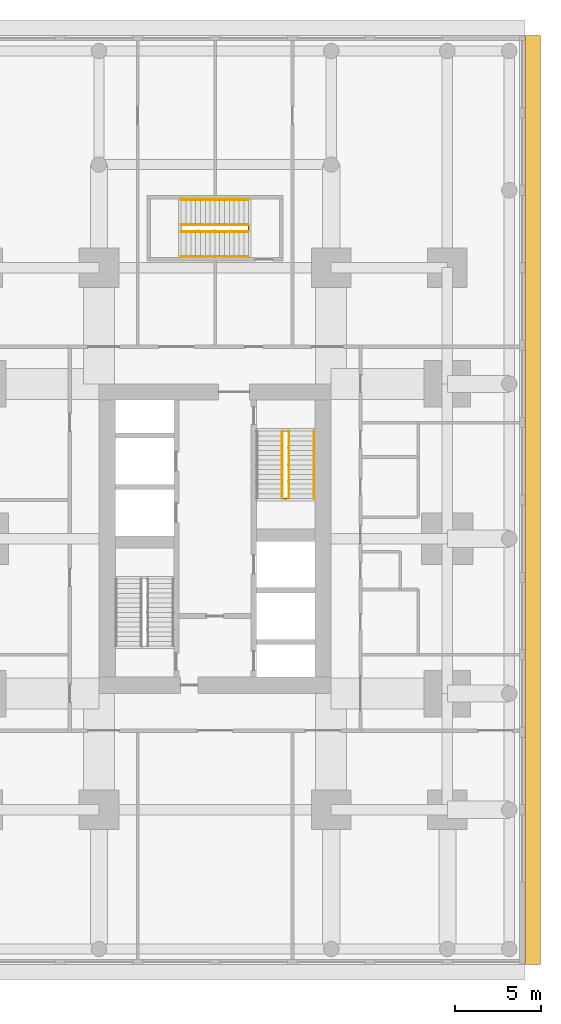
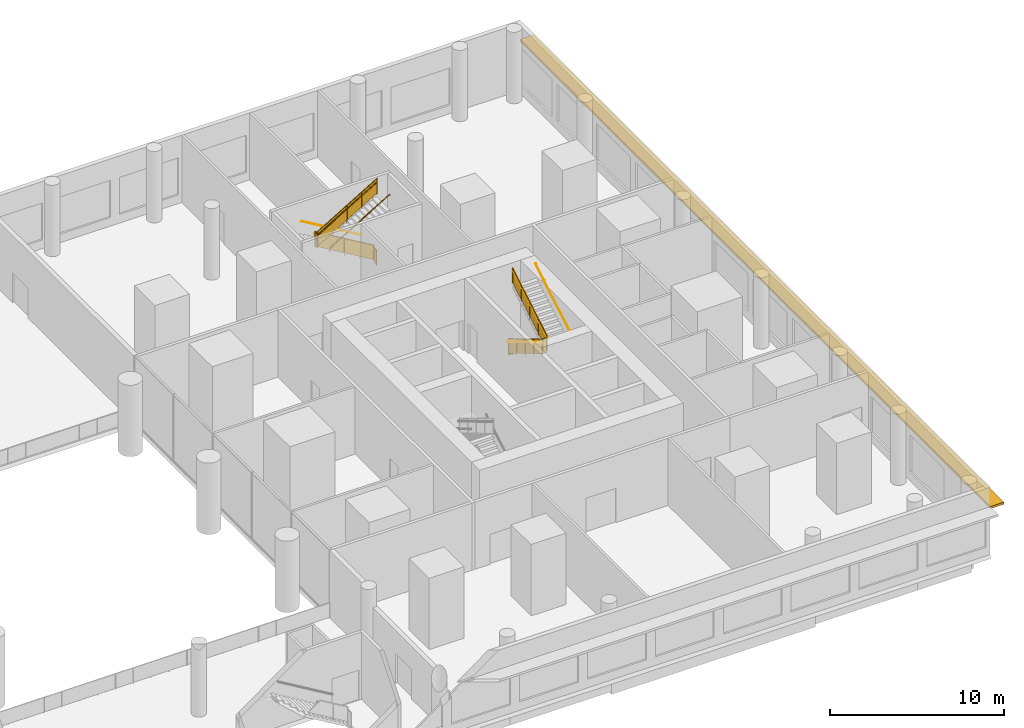
# One storey, part 21 of 21: 9 railings, 1 shading device.
"""IFC4 building model written with IfcOpenShell, lengths in metres."""

from ifc_helpers import new_model, si_unit, direction, frame, origin, origin_2d, place, context, subcontext, project, spatial, polyline, rectangle, circle, outline, extrude, material, layer, layer_set, type_object, element, save


model = new_model("IFC4")

# Units and contexts
model_context = context("Model", 3, precision=1e-05, world=origin(), true_north=direction((0.0, 1.0)))
body_context = subcontext(model_context, "Body", "Model", "MODEL_VIEW")
ifc_project = project(units=[si_unit("LENGTHUNIT", "METRE"), si_unit("AREAUNIT", "SQUARE_METRE"), si_unit("VOLUMEUNIT", "CUBIC_METRE"), si_unit("PLANEANGLEUNIT", "RADIAN"), si_unit("MASSUNIT", "GRAM", prefix="KILO")], contexts=[model_context])

# Site, building, storey
site_placement = place(None, origin())
site = spatial("IfcSite", under=ifc_project, at=site_placement, CompositionType="ELEMENT")
building_placement = place(site_placement, origin())
building = spatial("IfcBuilding", under=site, at=building_placement, Name="Namib Vertical Campus", CompositionType="ELEMENT")
storey_placement = place(building_placement, frame((0.0, 0.0, 6.0)))
storey = spatial("IfcBuildingStorey", under=building, at=storey_placement, Name="L01", CompositionType="ELEMENT", Elevation=6.0)

# Railings
ifc_material_1 = material(Name="Steel handrail", Category="steel")
railing_type_1 = type_object("IfcRailingType", Name="Handrail 900", PredefinedType="HANDRAIL", material=ifc_material_1)
railing_1_placement = place(storey_placement, frame((86.75, 22.580078125, 2.666748046875)))
element("IfcRailing", 1, at=railing_1_placement, inside=storey, type_object=railing_type_1, Name="Handrail HR1 B-S2 L01 2", PredefinedType="HANDRAIL", context=body_context, shape_type="SweptSolid", body=[
    extrude(circle(Radius=0.02392578125, at=origin_2d()), frame((0.0, 0.0, 0.8759765625), z_axis=(0.0, 0.859296244711, 0.511478214419), x_axis=(-1.0, 0.0, 0.0)), (0.0, 0.0, 1.0), 4.561767578125),
    extrude(circle(Radius=0.008056640625, at=origin_2d()), frame((0.0, 0.0, 0.8759765625), z_axis=(1.0, 0.0, 0.0), x_axis=(0.0, 0.0, 1.0)), (0.0, 0.0, 1.0), 0.050048828125),
    extrude(circle(Radius=0.008056640625, at=origin_2d()), frame((0.0, 0.97998046875, 1.459228515625), z_axis=(1.0, 0.0, 0.0), x_axis=(0.0, 0.0, 1.0)), (0.0, 0.0, 1.0), 0.050048828125),
    extrude(circle(Radius=0.008056640625, at=origin_2d()), frame((0.0, 1.9599609375, 2.04248046875), z_axis=(1.0, 0.0, 0.0), x_axis=(0.0, 0.0, 1.0)), (0.0, 0.0, 1.0), 0.050048828125),
    extrude(circle(Radius=0.008056640625, at=origin_2d()), frame((0.0, 2.93994140625, 2.625732421875), z_axis=(1.0, 0.0, 0.0), x_axis=(0.0, 0.0, 1.0)), (0.0, 0.0, 1.0), 0.050048828125),
    extrude(circle(Radius=0.008056640625, at=origin_2d()), frame((0.0, 3.919921875, 3.208984375), z_axis=(1.0, 0.0, 0.0), x_axis=(0.0, 0.0, 1.0)), (0.0, 0.0, 1.0), 0.050048828125),
])
railing_2_placement = place(storey_placement, frame((84.89990234375, 26.5, 0.166748046875)))
element("IfcRailing", 2, at=railing_2_placement, inside=storey, type_object=railing_type_1, Name="Handrail HR1 B-S2 L01 1 at the well", PredefinedType="HANDRAIL", context=body_context, shape_type="SweptSolid", body=[
    extrude(circle(Radius=0.02392578125, at=origin_2d()), frame((0.0, 0.0, 0.8759765625), z_axis=(0.0, -0.859296244711, 0.511478214419), x_axis=(1.0, 0.0, 0.0)), (0.0, 0.0, 1.0), 4.561767578125),
    extrude(circle(Radius=0.008056640625, at=origin_2d()), frame((0.0, 0.0, 0.8759765625), z_axis=(1.0, 0.0, 0.0), x_axis=(0.0, 0.0, 1.0)), (0.0, 0.0, 1.0), 0.0400390625),
    extrude(circle(Radius=0.008056640625, at=origin_2d()), frame((0.0, -0.97998046875, 1.459228515625), z_axis=(1.0, 0.0, 0.0), x_axis=(0.0, 0.0, 1.0)), (0.0, 0.0, 1.0), 0.0400390625),
    extrude(circle(Radius=0.008056640625, at=origin_2d()), frame((0.0, -1.9599609375, 2.04248046875), z_axis=(1.0, 0.0, 0.0), x_axis=(0.0, 0.0, 1.0)), (0.0, 0.0, 1.0), 0.0400390625),
    extrude(circle(Radius=0.008056640625, at=origin_2d()), frame((0.0, -2.93994140625, 2.625732421875), z_axis=(1.0, 0.0, 0.0), x_axis=(0.0, 0.0, 1.0)), (0.0, 0.0, 1.0), 0.0400390625),
    extrude(circle(Radius=0.008056640625, at=origin_2d()), frame((0.0, -3.919921875, 3.208984375), z_axis=(1.0, 0.0, 0.0), x_axis=(0.0, 0.0, 1.0)), (0.0, 0.0, 1.0), 0.0400390625),
])
railing_3_placement = place(storey_placement, frame((85.300048828125, 22.580078125, 2.666748046875)))
element("IfcRailing", 3, at=railing_3_placement, inside=storey, type_object=railing_type_1, Name="Handrail HR1 B-S2 L01 2 at the well", PredefinedType="HANDRAIL", context=body_context, shape_type="SweptSolid", body=[
    extrude(circle(Radius=0.02392578125, at=origin_2d()), frame((0.0, 0.0, 0.8759765625), z_axis=(0.0, 0.859296244711, 0.511478214419), x_axis=(-1.0, 0.0, 0.0)), (0.0, 0.0, 1.0), 4.561767578125),
    extrude(circle(Radius=0.008056640625, at=origin_2d()), frame((0.0, 0.0, 0.8759765625), z_axis=(-1.0, 0.0, 0.0), x_axis=(0.0, 0.0, 1.0)), (0.0, 0.0, 1.0), 0.0400390625),
    extrude(circle(Radius=0.008056640625, at=origin_2d()), frame((0.0, 0.97998046875, 1.459228515625), z_axis=(-1.0, 0.0, 0.0), x_axis=(0.0, 0.0, 1.0)), (0.0, 0.0, 1.0), 0.0400390625),
    extrude(circle(Radius=0.008056640625, at=origin_2d()), frame((0.0, 1.9599609375, 2.04248046875), z_axis=(-1.0, 0.0, 0.0), x_axis=(0.0, 0.0, 1.0)), (0.0, 0.0, 1.0), 0.0400390625),
    extrude(circle(Radius=0.008056640625, at=origin_2d()), frame((0.0, 2.93994140625, 2.625732421875), z_axis=(-1.0, 0.0, 0.0), x_axis=(0.0, 0.0, 1.0)), (0.0, 0.0, 1.0), 0.0400390625),
    extrude(circle(Radius=0.008056640625, at=origin_2d()), frame((0.0, 3.919921875, 3.208984375), z_axis=(-1.0, 0.0, 0.0), x_axis=(0.0, 0.0, 1.0)), (0.0, 0.0, 1.0), 0.0400390625),
])
railing_4_placement = place(storey_placement, frame((82.949951171875, 39.949951171875, 0.166748046875)))
element("IfcRailing", 4, at=railing_4_placement, inside=storey, type_object=railing_type_1, Name="Handrail HR1 B-S3 L01 1", PredefinedType="HANDRAIL", context=body_context, shape_type="SweptSolid", body=[
    extrude(circle(Radius=0.02392578125, at=origin_2d()), frame((0.0, 0.0, 0.8759765625), z_axis=(-0.859296244711, 0.0, 0.511478214419), x_axis=(0.0, -1.0, 0.0)), (0.0, 0.0, 1.0), 4.561767578125),
    extrude(circle(Radius=0.008056640625, at=origin_2d()), frame((0.0, 0.0, 0.8759765625), z_axis=(0.0, 1.0, 0.0), x_axis=(0.0, 0.0, 1.0)), (0.0, 0.0, 1.0), 0.050048828125),
    extrude(circle(Radius=0.008056640625, at=origin_2d()), frame((-0.97998046875, 0.0, 1.459228515625), z_axis=(0.0, 1.0, 0.0), x_axis=(0.0, 0.0, 1.0)), (0.0, 0.0, 1.0), 0.050048828125),
    extrude(circle(Radius=0.008056640625, at=origin_2d()), frame((-1.9599609375, 0.0, 2.04248046875), z_axis=(0.0, 1.0, 0.0), x_axis=(0.0, 0.0, 1.0)), (0.0, 0.0, 1.0), 0.050048828125),
    extrude(circle(Radius=0.008056640625, at=origin_2d()), frame((-2.93994140625, 0.0, 2.625732421875), z_axis=(0.0, 1.0, 0.0), x_axis=(0.0, 0.0, 1.0)), (0.0, 0.0, 1.0), 0.050048828125),
    extrude(circle(Radius=0.008056640625, at=origin_2d()), frame((-3.919921875, 0.0, 3.208984375), z_axis=(0.0, 1.0, 0.0), x_axis=(0.0, 0.0, 1.0)), (0.0, 0.0, 1.0), 0.050048828125),
])
railing_5_placement = place(storey_placement, frame((79.030029296875, 36.64990234375, 2.666748046875)))
element("IfcRailing", 5, at=railing_5_placement, inside=storey, type_object=railing_type_1, Name="Handrail HR1 B-S3 L01 2", PredefinedType="HANDRAIL", context=body_context, shape_type="SweptSolid", body=[
    extrude(circle(Radius=0.02392578125, at=origin_2d()), frame((0.0, 0.0, 0.8759765625), z_axis=(0.859296244711, 0.0, 0.511478214419), x_axis=(0.0, 1.0, 0.0)), (0.0, 0.0, 1.0), 4.561767578125),
    extrude(circle(Radius=0.008056640625, at=origin_2d()), frame((0.0, 0.0, 0.8759765625), z_axis=(0.0, -1.0, 0.0), x_axis=(0.0, 0.0, 1.0)), (0.0, 0.0, 1.0), 0.050048828125),
    extrude(circle(Radius=0.008056640625, at=origin_2d()), frame((0.97998046875, 0.0, 1.459228515625), z_axis=(0.0, -1.0, 0.0), x_axis=(0.0, 0.0, 1.0)), (0.0, 0.0, 1.0), 0.050048828125),
    extrude(circle(Radius=0.008056640625, at=origin_2d()), frame((1.9599609375, 0.0, 2.04248046875), z_axis=(0.0, -1.0, 0.0), x_axis=(0.0, 0.0, 1.0)), (0.0, 0.0, 1.0), 0.050048828125),
    extrude(circle(Radius=0.008056640625, at=origin_2d()), frame((2.93994140625, 0.0, 2.625732421875), z_axis=(0.0, -1.0, 0.0), x_axis=(0.0, 0.0, 1.0)), (0.0, 0.0, 1.0), 0.050048828125),
    extrude(circle(Radius=0.008056640625, at=origin_2d()), frame((3.919921875, 0.0, 3.208984375), z_axis=(0.0, -1.0, 0.0), x_axis=(0.0, 0.0, 1.0)), (0.0, 0.0, 1.0), 0.050048828125),
])
railing_6_placement = place(storey_placement, frame((82.949951171875, 38.5, 0.166748046875)))
element("IfcRailing", 6, at=railing_6_placement, inside=storey, type_object=railing_type_1, Name="Handrail HR1 B-S3 L01 1 at the well", PredefinedType="HANDRAIL", context=body_context, shape_type="SweptSolid", body=[
    extrude(circle(Radius=0.02392578125, at=origin_2d()), frame((0.0, 0.0, 0.8759765625), z_axis=(-0.859296244711, 0.0, 0.511478214419), x_axis=(0.0, -1.0, 0.0)), (0.0, 0.0, 1.0), 4.561767578125),
    extrude(circle(Radius=0.008056640625, at=origin_2d()), frame((0.0, 0.0, 0.8759765625), z_axis=(0.0, -1.0, 0.0), x_axis=(0.0, 0.0, 1.0)), (0.0, 0.0, 1.0), 0.0400390625),
    extrude(circle(Radius=0.008056640625, at=origin_2d()), frame((-0.97998046875, 0.0, 1.459228515625), z_axis=(0.0, -1.0, 0.0), x_axis=(0.0, 0.0, 1.0)), (0.0, 0.0, 1.0), 0.0400390625),
    extrude(circle(Radius=0.008056640625, at=origin_2d()), frame((-1.9599609375, 0.0, 2.04248046875), z_axis=(0.0, -1.0, 0.0), x_axis=(0.0, 0.0, 1.0)), (0.0, 0.0, 1.0), 0.0400390625),
    extrude(circle(Radius=0.008056640625, at=origin_2d()), frame((-2.93994140625, 0.0, 2.625732421875), z_axis=(0.0, -1.0, 0.0), x_axis=(0.0, 0.0, 1.0)), (0.0, 0.0, 1.0), 0.0400390625),
    extrude(circle(Radius=0.008056640625, at=origin_2d()), frame((-3.919921875, 0.0, 3.208984375), z_axis=(0.0, -1.0, 0.0), x_axis=(0.0, 0.0, 1.0)), (0.0, 0.0, 1.0), 0.0400390625),
])
railing_7_placement = place(storey_placement, frame((79.030029296875, 38.10009765625, 2.666748046875)))
element("IfcRailing", 7, at=railing_7_placement, inside=storey, type_object=railing_type_1, Name="Handrail HR1 B-S3 L01 2 at the well", PredefinedType="HANDRAIL", context=body_context, shape_type="SweptSolid", body=[
    extrude(circle(Radius=0.02392578125, at=origin_2d()), frame((0.0, 0.0, 0.8759765625), z_axis=(0.859296244711, 0.0, 0.511478214419), x_axis=(0.0, 1.0, 0.0)), (0.0, 0.0, 1.0), 4.561767578125),
    extrude(circle(Radius=0.008056640625, at=origin_2d()), frame((0.0, 0.0, 0.8759765625), z_axis=(0.0, 1.0, 0.0), x_axis=(0.0, 0.0, 1.0)), (0.0, 0.0, 1.0), 0.0400390625),
    extrude(circle(Radius=0.008056640625, at=origin_2d()), frame((0.97998046875, 0.0, 1.459228515625), z_axis=(0.0, 1.0, 0.0), x_axis=(0.0, 0.0, 1.0)), (0.0, 0.0, 1.0), 0.0400390625),
    extrude(circle(Radius=0.008056640625, at=origin_2d()), frame((1.9599609375, 0.0, 2.04248046875), z_axis=(0.0, 1.0, 0.0), x_axis=(0.0, 0.0, 1.0)), (0.0, 0.0, 1.0), 0.0400390625),
    extrude(circle(Radius=0.008056640625, at=origin_2d()), frame((2.93994140625, 0.0, 2.625732421875), z_axis=(0.0, 1.0, 0.0), x_axis=(0.0, 0.0, 1.0)), (0.0, 0.0, 1.0), 0.0400390625),
    extrude(circle(Radius=0.008056640625, at=origin_2d()), frame((3.919921875, 0.0, 3.208984375), z_axis=(0.0, 1.0, 0.0), x_axis=(0.0, 0.0, 1.0)), (0.0, 0.0, 1.0), 0.0400390625),
])
ifc_material_2 = material(Name="Steel balustrade", Category="steel")
railing_type_2 = type_object("IfcRailingType", Name="Stair guard 1100", PredefinedType="GUARDRAIL", material=ifc_material_2)
railing_8_placement = place(storey_placement, frame((85.25, 26.5, 0.0)))
element("IfcRailing", 8, at=railing_8_placement, inside=storey, type_object=railing_type_2, Name="Stair guard GR1 B-S2 L01", PredefinedType="GUARDRAIL", context=body_context, shape_type="SweptSolid", body=[
    extrude(circle(Radius=0.02392578125, at=origin_2d()), frame((0.0, 0.0, 1.076171875), z_axis=(-1.0, 0.0, 0.0), x_axis=(0.0, -1.0, 0.0)), (0.0, 0.0, 1.0), 0.300048828125),
    extrude(outline(polyline([(0.02099609375, 0.050048828125), (0.279052734375, 0.050048828125), (0.279052734375, 1.052001953125), (0.02099609375, 1.052001953125), (0.02099609375, 0.050048828125)])), frame((0.0, -0.010009765625, 0.0), z_axis=(0.0, 1.0, 0.0), x_axis=(-1.0, 0.0, 0.0)), (0.0, 0.0, 1.0), 0.02001953125),
    extrude(circle(Radius=0.02392578125, at=origin_2d()), frame((-0.300048828125, 0.0, 1.076171875), z_axis=(0.0, 0.0, 1.0), x_axis=(1.0, 0.0, 0.0)), (0.0, 0.0, 1.0), 0.166748046875),
    extrude(circle(Radius=0.02392578125, at=origin_2d()), frame((-0.300048828125, 0.0, 1.24267578125), z_axis=(0.0, -0.859296244711, 0.511478214419), x_axis=(1.0, 0.0, 0.0)), (0.0, 0.0, 1.0), 4.561767578125),
    extrude(outline(polyline([(0.02099609375, 0.0625), (3.89892578125, 2.370849609375), (3.89892578125, 3.372802734375), (0.02099609375, 1.064453125), (0.02099609375, 0.0625)])), frame((-0.2900390625, 0.0, 0.166748046875), z_axis=(-1.0, 0.0, 0.0), x_axis=(0.0, -1.0, 0.0)), (0.0, 0.0, 1.0), 0.02001953125),
    extrude(circle(Radius=0.02392578125, at=origin_2d()), frame((-0.300048828125, -3.919921875, 3.576171875), z_axis=(1.0, 0.0, 0.0), x_axis=(0.0, 1.0, 0.0)), (0.0, 0.0, 1.0), 0.300048828125),
    extrude(outline(polyline([(0.02099609375, 0.050048828125), (0.279052734375, 0.050048828125), (0.279052734375, 1.052001953125), (0.02099609375, 1.052001953125), (0.02099609375, 0.050048828125)])), frame((-0.300048828125, -3.909912109375, 2.5), z_axis=(0.0, -1.0, 0.0), x_axis=(1.0, 0.0, 0.0)), (0.0, 0.0, 1.0), 0.02001953125),
    extrude(circle(Radius=0.02392578125, at=origin_2d()), frame((0.0, -3.919921875, 3.576171875), z_axis=(0.0, 0.0, 1.0), x_axis=(1.0, 0.0, 0.0)), (0.0, 0.0, 1.0), 0.166748046875),
    extrude(circle(Radius=0.02392578125, at=origin_2d()), frame((0.0, -3.919921875, 3.74267578125), z_axis=(0.0, 0.859296244711, 0.511478214419), x_axis=(-1.0, 0.0, 0.0)), (0.0, 0.0, 1.0), 4.561767578125),
    extrude(outline(polyline([(0.02099609375, 0.0625), (3.89892578125, 2.370849609375), (3.89892578125, 3.372802734375), (0.02099609375, 1.064453125), (0.02099609375, 0.0625)])), frame((-0.010009765625, -3.919921875, 2.666748046875), z_axis=(1.0, 0.0, 0.0), x_axis=(0.0, 1.0, 0.0)), (0.0, 0.0, 1.0), 0.02001953125),
    extrude(circle(Radius=0.02392578125, at=origin_2d()), frame((0.0, 0.0, 6.076171875), z_axis=(0.0, 1.0, 0.0), x_axis=(-1.0, 0.0, 0.0)), (0.0, 0.0, 1.0), 0.050048828125),
    extrude(outline(polyline([(0.02099609375, 0.050048828125), (0.029052734375, 0.050048828125), (0.029052734375, 1.052001953125), (0.02099609375, 1.052001953125), (0.02099609375, 0.050048828125)])), frame((-0.010009765625, 0.0, 5.0), z_axis=(1.0, 0.0, 0.0), x_axis=(0.0, 1.0, 0.0)), (0.0, 0.0, 1.0), 0.02001953125),
    extrude(circle(Radius=0.02099609375, at=origin_2d()), origin(), (0.0, 0.0, 1.0), 1.052001953125),
    extrude(circle(Radius=0.02099609375, at=origin_2d()), frame((-0.300048828125, 0.0, 0.166748046875)), (0.0, 0.0, 1.0), 1.052001953125),
    extrude(circle(Radius=0.02099609375, at=origin_2d()), frame((-0.300048828125, -0.97998046875, 0.666748046875)), (0.0, 0.0, 1.0), 1.13525390625),
    extrude(circle(Radius=0.02099609375, at=origin_2d()), frame((-0.300048828125, -1.9599609375, 1.166748046875)), (0.0, 0.0, 1.0), 1.218505859375),
    extrude(circle(Radius=0.02099609375, at=origin_2d()), frame((-0.300048828125, -2.93994140625, 1.83349609375)), (0.0, 0.0, 1.0), 1.13525390625),
    extrude(circle(Radius=0.02099609375, at=origin_2d()), frame((-0.300048828125, -3.919921875, 2.5)), (0.0, 0.0, 1.0), 1.052001953125),
    extrude(circle(Radius=0.02099609375, at=origin_2d()), frame((0.0, -3.919921875, 2.666748046875)), (0.0, 0.0, 1.0), 1.052001953125),
    extrude(circle(Radius=0.02099609375, at=origin_2d()), frame((0.0, -2.93994140625, 3.166748046875)), (0.0, 0.0, 1.0), 1.13525390625),
    extrude(circle(Radius=0.02099609375, at=origin_2d()), frame((0.0, -1.9599609375, 3.666748046875)), (0.0, 0.0, 1.0), 1.218505859375),
    extrude(circle(Radius=0.02099609375, at=origin_2d()), frame((0.0, -0.97998046875, 4.33349609375)), (0.0, 0.0, 1.0), 1.13525390625),
    extrude(circle(Radius=0.02099609375, at=origin_2d()), frame((0.0, 0.0, 5.0)), (0.0, 0.0, 1.0), 1.052001953125),
    extrude(circle(Radius=0.02099609375, at=origin_2d()), frame((0.0, 0.050048828125, 5.0)), (0.0, 0.0, 1.0), 1.052001953125),
])
railing_9_placement = place(storey_placement, frame((82.949951171875, 38.14990234375, 0.0)))
element("IfcRailing", 9, at=railing_9_placement, inside=storey, type_object=railing_type_2, Name="Stair guard GR1 B-S3 L01", PredefinedType="GUARDRAIL", context=body_context, shape_type="SweptSolid", body=[
    extrude(circle(Radius=0.02392578125, at=origin_2d()), frame((0.0, 0.0, 1.076171875), z_axis=(0.0, 1.0, 0.0), x_axis=(-1.0, 0.0, 0.0)), (0.0, 0.0, 1.0), 0.300048828125),
    extrude(outline(polyline([(0.02099609375, 0.050048828125), (0.279052734375, 0.050048828125), (0.279052734375, 1.052001953125), (0.02099609375, 1.052001953125), (0.02099609375, 0.050048828125)])), frame((-0.010009765625, 0.0, 0.0), z_axis=(1.0, 0.0, 0.0), x_axis=(0.0, 1.0, 0.0)), (0.0, 0.0, 1.0), 0.02001953125),
    extrude(circle(Radius=0.02392578125, at=origin_2d()), frame((0.0, 0.300048828125, 1.076171875), z_axis=(0.0, 0.0, 1.0), x_axis=(1.0, 0.0, 0.0)), (0.0, 0.0, 1.0), 0.166748046875),
    extrude(circle(Radius=0.02392578125, at=origin_2d()), frame((0.0, 0.300048828125, 1.24267578125), z_axis=(-0.859296244711, 0.0, 0.511478214419), x_axis=(0.0, -1.0, 0.0)), (0.0, 0.0, 1.0), 4.561767578125),
    extrude(outline(polyline([(0.02099609375, 0.0625), (3.89892578125, 2.370849609375), (3.89892578125, 3.372802734375), (0.02099609375, 1.064453125), (0.02099609375, 0.0625)])), frame((0.0, 0.2900390625, 0.166748046875), z_axis=(0.0, 1.0, 0.0), x_axis=(-1.0, 0.0, 0.0)), (0.0, 0.0, 1.0), 0.02001953125),
    extrude(circle(Radius=0.02392578125, at=origin_2d()), frame((-3.919921875, 0.300048828125, 3.576171875), z_axis=(0.0, -1.0, 0.0), x_axis=(1.0, 0.0, 0.0)), (0.0, 0.0, 1.0), 0.300048828125),
    extrude(outline(polyline([(0.02099609375, 0.050048828125), (0.279052734375, 0.050048828125), (0.279052734375, 1.052001953125), (0.02099609375, 1.052001953125), (0.02099609375, 0.050048828125)])), frame((-3.909912109375, 0.300048828125, 2.5), z_axis=(-1.0, 0.0, 0.0), x_axis=(0.0, -1.0, 0.0)), (0.0, 0.0, 1.0), 0.02001953125),
    extrude(circle(Radius=0.02392578125, at=origin_2d()), frame((-3.919921875, 0.0, 3.576171875), z_axis=(0.0, 0.0, 1.0), x_axis=(1.0, 0.0, 0.0)), (0.0, 0.0, 1.0), 0.166748046875),
    extrude(circle(Radius=0.02392578125, at=origin_2d()), frame((-3.919921875, 0.0, 3.74267578125), z_axis=(0.859296244711, 0.0, 0.511478214419), x_axis=(0.0, 1.0, 0.0)), (0.0, 0.0, 1.0), 4.561767578125),
    extrude(outline(polyline([(0.02099609375, 0.0625), (3.89892578125, 2.370849609375), (3.89892578125, 3.372802734375), (0.02099609375, 1.064453125), (0.02099609375, 0.0625)])), frame((-3.919921875, 0.010009765625, 2.666748046875), z_axis=(0.0, -1.0, 0.0), x_axis=(1.0, 0.0, 0.0)), (0.0, 0.0, 1.0), 0.02001953125),
    extrude(circle(Radius=0.02392578125, at=origin_2d()), frame((0.0, 0.0, 6.076171875), z_axis=(1.0, 0.0, 0.0), x_axis=(0.0, 1.0, 0.0)), (0.0, 0.0, 1.0), 0.050048828125),
    extrude(outline(polyline([(0.02099609375, 0.050048828125), (0.029052734375, 0.050048828125), (0.029052734375, 1.052001953125), (0.02099609375, 1.052001953125), (0.02099609375, 0.050048828125)])), frame((0.0, 0.010009765625, 5.0), z_axis=(0.0, -1.0, 0.0), x_axis=(1.0, 0.0, 0.0)), (0.0, 0.0, 1.0), 0.02001953125),
    extrude(circle(Radius=0.02099609375, at=origin_2d()), origin(), (0.0, 0.0, 1.0), 1.052001953125),
    extrude(circle(Radius=0.02099609375, at=origin_2d()), frame((0.0, 0.300048828125, 0.166748046875)), (0.0, 0.0, 1.0), 1.052001953125),
    extrude(circle(Radius=0.02099609375, at=origin_2d()), frame((-0.97998046875, 0.300048828125, 0.666748046875)), (0.0, 0.0, 1.0), 1.13525390625),
    extrude(circle(Radius=0.02099609375, at=origin_2d()), frame((-1.9599609375, 0.300048828125, 1.166748046875)), (0.0, 0.0, 1.0), 1.218505859375),
    extrude(circle(Radius=0.02099609375, at=origin_2d()), frame((-2.93994140625, 0.300048828125, 1.83349609375)), (0.0, 0.0, 1.0), 1.13525390625),
    extrude(circle(Radius=0.02099609375, at=origin_2d()), frame((-3.919921875, 0.300048828125, 2.5)), (0.0, 0.0, 1.0), 1.052001953125),
    extrude(circle(Radius=0.02099609375, at=origin_2d()), frame((-3.919921875, 0.0, 2.666748046875)), (0.0, 0.0, 1.0), 1.052001953125),
    extrude(circle(Radius=0.02099609375, at=origin_2d()), frame((-2.93994140625, 0.0, 3.166748046875)), (0.0, 0.0, 1.0), 1.13525390625),
    extrude(circle(Radius=0.02099609375, at=origin_2d()), frame((-1.9599609375, 0.0, 3.666748046875)), (0.0, 0.0, 1.0), 1.218505859375),
    extrude(circle(Radius=0.02099609375, at=origin_2d()), frame((-0.97998046875, 0.0, 4.33349609375)), (0.0, 0.0, 1.0), 1.13525390625),
    extrude(circle(Radius=0.02099609375, at=origin_2d()), frame((0.0, 0.0, 5.0)), (0.0, 0.0, 1.0), 1.052001953125),
    extrude(circle(Radius=0.02099609375, at=origin_2d()), frame((0.050048828125, 0.0, 5.0)), (0.0, 0.0, 1.0), 1.052001953125),
])

# Shading device
ifc_material_3 = material(Name="Concrete C40/50 precast", Category="concrete")
ifc_layer = layer(ifc_material_3, 0.14990234375)
ifc_layer_set = layer_set([ifc_layer], Name="Concrete C40/50 precast")
shading_device_type = type_object("IfcShadingDeviceType", Name="Sunshade hood 900", PredefinedType="SHUTTER", material=ifc_layer_set)
shading_device_placement = place(storey_placement, frame((99.449951171875, 22.5, 3.199951171875), z_axis=(0.0, 0.0, 1.0), x_axis=(0.0, 1.0, 0.0)))
element("IfcShadingDevice", 10, at=shading_device_placement, inside=storey, type_object=shading_device_type, Name="Sunshade SH1 L01 2", PredefinedType="SHUTTER", context=body_context, shape_type="SweptSolid", body=[
    extrude(rectangle(XDim=54.0, YDim=0.89990234375, at=origin_2d()), origin(), (0.0, 0.0, 1.0), 0.14990234375),
])

save(model, "model.ifc")
